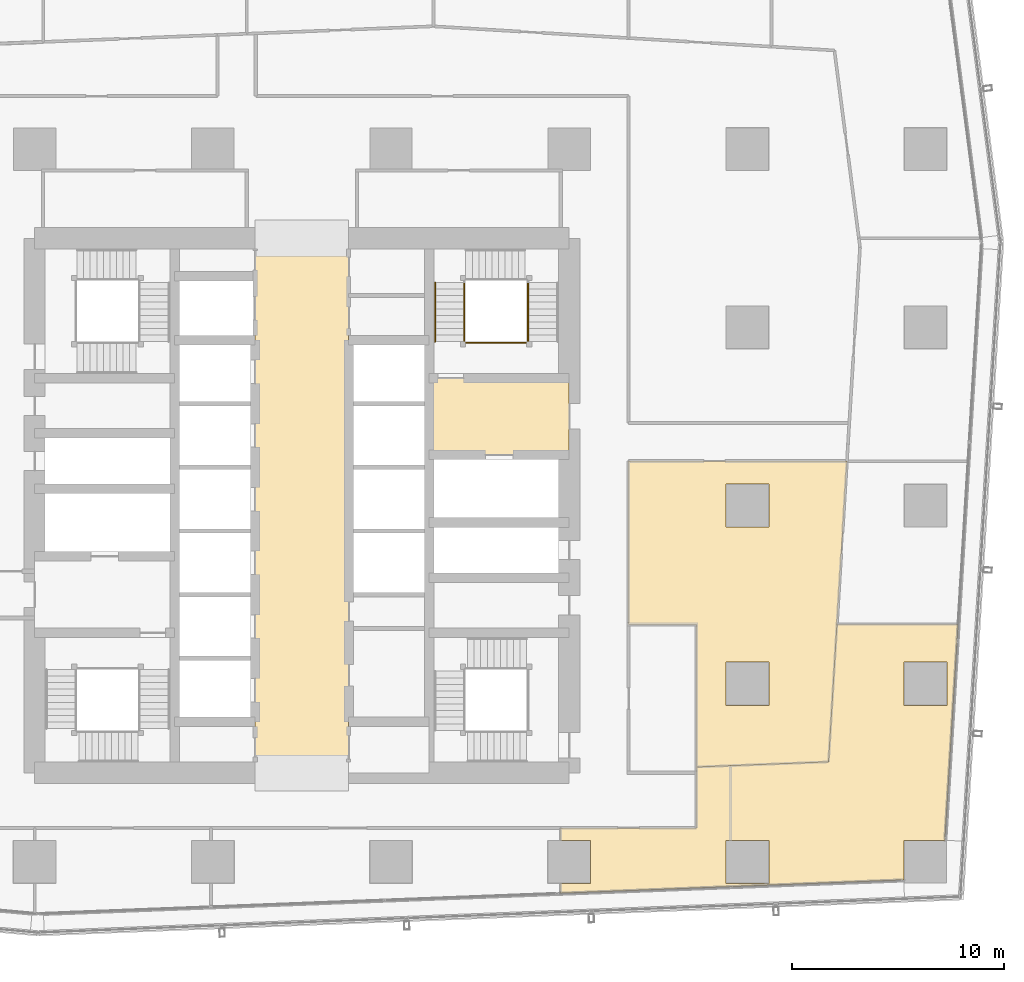
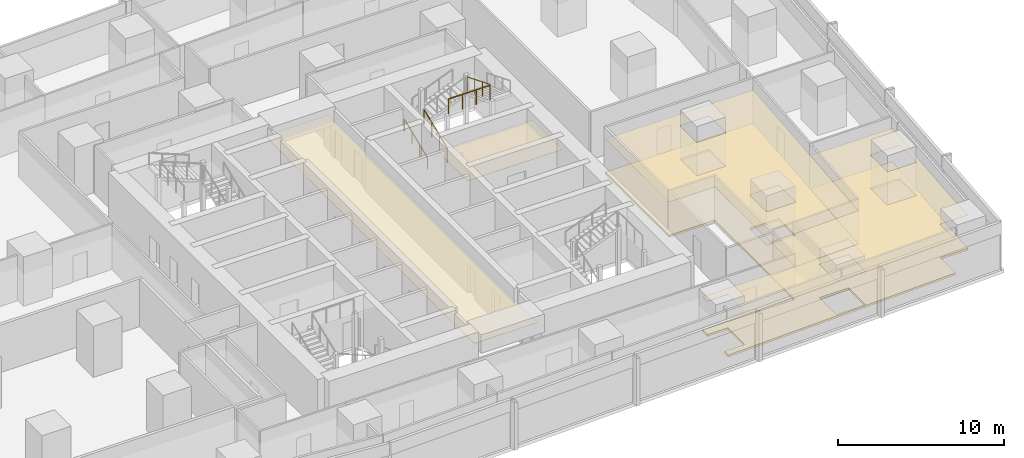
# One storey, part 34 of 36: 6 coverings, 4 railings.
"""IFC4 building model written with IfcOpenShell, lengths in metres."""

from ifc_helpers import new_model, si_unit, direction, frame, origin, origin_2d, place, context, subcontext, project, spatial, polyline, circle, outline, extrude, material, layer, layer_set, type_object, element, save


model = new_model("IFC4")

# Units and contexts
model_context = context("Model", 3, precision=1e-05, world=origin(), true_north=direction((0.0, 1.0)))
body_context = subcontext(model_context, "Body", "Model", "MODEL_VIEW")
ifc_project = project(units=[si_unit("LENGTHUNIT", "METRE"), si_unit("AREAUNIT", "SQUARE_METRE"), si_unit("VOLUMEUNIT", "CUBIC_METRE"), si_unit("PLANEANGLEUNIT", "RADIAN"), si_unit("MASSUNIT", "GRAM", prefix="KILO")], contexts=[model_context])

# Site, building, storey
site_placement = place(None, origin())
site = spatial("IfcSite", under=ifc_project, at=site_placement, CompositionType="ELEMENT")
building_placement = place(site_placement, origin())
building = spatial("IfcBuilding", under=site, at=building_placement, Name="Rekha Terrace Tower", CompositionType="ELEMENT")
storey_placement = place(building_placement, frame((0.0, 0.0, 144.050048828125)))
storey = spatial("IfcBuildingStorey", under=building, at=storey_placement, Name="L36", CompositionType="ELEMENT", Elevation=144.050048828125)

# Coverings
ifc_material_1 = material(Name="Mineral fibre tile in exposed grid", Category="finish")
ifc_layer_1 = layer(ifc_material_1, 0.02001953125)
ifc_layer_set_1 = layer_set([ifc_layer_1], Name="Mineral fibre tile in exposed grid")
covering_type_1 = type_object("IfcCoveringType", Name="CL1 600x1200 office grid ceiling", PredefinedType="CEILING", material=ifc_layer_set_1)
covering_1_placement = place(storey_placement, frame((0.0, 0.0, 2.579833984375)))
element("IfcCovering", 1, at=covering_1_placement, inside=storey, type_object=covering_type_1, Name="Ceiling L36-02", PredefinedType="CEILING", context=body_context, shape_type="SweptSolid", body=[
    extrude(outline(polyline([(51.4150390625, 15.784912109375), (49.9990234375, 15.784912109375), (49.9990234375, 15.321044921875), (58.010986328125, 15.633056640625), (66.18505859375, 15.950927734375), (66.18505859375, 17.81494140625), (68.111083984375, 17.81494140625), (68.735107421875, 27.9970703125), (63.02392578125, 27.9970703125), (62.626953125, 21.51708984375), (58.011962890625, 21.337890625), (56.39990234375, 21.27490234375), (56.39990234375, 18.39990234375), (49.9990234375, 18.39990234375), (49.9990234375, 17.81494140625), (51.4150390625, 17.81494140625), (51.4150390625, 15.784912109375)]), holes=[polyline([(68.215087890625, 24.18505859375), (66.18505859375, 24.18505859375), (66.18505859375, 26.215087890625), (68.215087890625, 26.215087890625), (68.215087890625, 24.18505859375)]), polyline([(59.81494140625, 15.784912109375), (57.784912109375, 15.784912109375), (57.784912109375, 17.81494140625), (59.81494140625, 17.81494140625), (59.81494140625, 15.784912109375)])]), origin(), (0.0, 0.0, 1.0), 0.02001953125),
])
covering_2_placement = place(storey_placement, frame((0.0, 0.0, 2.579833984375)))
element("IfcCovering", 2, at=covering_2_placement, inside=storey, type_object=covering_type_1, Name="Ceiling L36-O1b", PredefinedType="CEILING", context=body_context, shape_type="SweptSolid", body=[
    extrude(outline(polyline([(56.39990234375, 21.27490234375), (58.010986328125, 21.3369140625), (58.010986328125, 21.337890625), (62.626953125, 21.51708984375), (63.02392578125, 27.998046875), (63.4951171875, 35.68994140625), (53.199951171875, 35.68994140625), (53.199951171875, 28.0), (56.39990234375, 28.0), (56.39990234375, 21.27490234375)]), holes=[polyline([(59.81494140625, 26.215087890625), (59.81494140625, 24.18505859375), (57.784912109375, 24.18505859375), (57.784912109375, 26.215087890625), (59.81494140625, 26.215087890625)]), polyline([(59.81494140625, 32.5849609375), (57.784912109375, 32.5849609375), (57.784912109375, 34.614990234375), (59.81494140625, 34.614990234375), (59.81494140625, 32.5849609375)])]), origin(), (0.0, 0.0, 1.0), 0.02001953125),
])
ifc_material_2 = material(Name="Powder-coated aluminium pan", Category="aluminium")
ifc_layer_2 = layer(ifc_material_2, 0.030029296875)
ifc_layer_set_2 = layer_set([ifc_layer_2], Name="Powder-coated aluminium pan")
covering_type_2 = type_object("IfcCoveringType", Name="CL3 300x1200 metal pan ceiling", PredefinedType="CEILING", material=ifc_layer_set_2)
covering_3_placement = place(storey_placement, frame((0.0, 0.0, 2.570068359375)))
element("IfcCovering", 3, at=covering_3_placement, inside=storey, type_object=covering_type_2, Name="Ceiling L36-LOBBY", PredefinedType="CEILING", context=body_context, shape_type="SweptSolid", body=[
    extrude(outline(polyline([(40.0, 46.199951171875), (35.60009765625, 46.199951171875), (35.60009765625, 21.0), (40.0, 21.0), (40.0, 46.199951171875)])), origin(), (0.0, 0.0, 1.0), 0.02978515625),
])
covering_4_placement = place(storey_placement, frame((0.0, 0.0, 2.570068359375)))
element("IfcCovering", 4, at=covering_4_placement, inside=storey, type_object=covering_type_2, Name="Ceiling L36-FLB2", PredefinedType="CEILING", context=body_context, shape_type="SweptSolid", body=[
    extrude(outline(polyline([(50.39990234375, 39.60009765625), (43.800048828125, 39.60009765625), (43.800048828125, 36.0), (50.39990234375, 36.0), (50.39990234375, 39.60009765625)])), origin(), (0.0, 0.0, 1.0), 0.02978515625),
])

# Railings
ifc_material_3 = material(Name="Stainless steel balustrade", Category="steel")
railing_type_1 = type_object("IfcRailingType", Name="GR1 1100 stair guard", PredefinedType="GUARDRAIL", material=ifc_material_3)
railing_1_placement = place(storey_placement, frame((45.465087890625, 41.324951171875, 0.125)))
element("IfcRailing", 5, at=railing_1_placement, inside=storey, type_object=railing_type_1, Name="Guard ST2 L36 flight 1", PredefinedType="GUARDRAIL", context=body_context, shape_type="SweptSolid", body=[
    extrude(circle(Radius=0.02392578125, at=origin_2d()), frame((0.0, 0.0, 1.076171875), z_axis=(0.0, 0.927443287984, 0.373963831907), x_axis=(-1.0, 0.0, 0.0)), (0.0, 0.0, 1.0), 3.00830078125),
    extrude(circle(Radius=0.02099609375, at=origin_2d()), origin(), (0.0, 0.0, 1.0), 1.052001953125),
    extrude(circle(Radius=0.02099609375, at=origin_2d()), frame((0.0, 0.929931640625, 0.375)), (0.0, 0.0, 1.0), 1.052001953125),
    extrude(circle(Radius=0.02099609375, at=origin_2d()), frame((0.0, 1.860107421875, 0.75)), (0.0, 0.0, 1.0), 1.052001953125),
    extrude(circle(Radius=0.02099609375, at=origin_2d()), frame((0.0, 2.7900390625, 1.125)), (0.0, 0.0, 1.0), 1.052001953125),
])
railing_2_placement = place(storey_placement, frame((48.4599609375, 44.114990234375, 2.625)))
element("IfcRailing", 6, at=railing_2_placement, inside=storey, type_object=railing_type_1, Name="Guard ST2 L36 flight 3", PredefinedType="GUARDRAIL", context=body_context, shape_type="SweptSolid", body=[
    extrude(circle(Radius=0.02392578125, at=origin_2d()), frame((0.0, 0.0, 1.076171875), z_axis=(0.0, -0.927443287984, 0.373963831907), x_axis=(1.0, 0.0, 0.0)), (0.0, 0.0, 1.0), 3.00830078125),
    extrude(circle(Radius=0.02099609375, at=origin_2d()), origin(), (0.0, 0.0, 1.0), 1.052001953125),
    extrude(circle(Radius=0.02099609375, at=origin_2d()), frame((0.0, -0.929931640625, 0.375)), (0.0, 0.0, 1.0), 1.052001953125),
    extrude(circle(Radius=0.02099609375, at=origin_2d()), frame((0.0, -1.860107421875, 0.75)), (0.0, 0.0, 1.0), 1.052001953125),
    extrude(circle(Radius=0.02099609375, at=origin_2d()), frame((0.0, -2.7900390625, 1.125)), (0.0, 0.0, 1.0), 1.052001953125),
])
railing_3_placement = place(storey_placement, frame((45.52490234375, 41.264892578125, 3.75)))
element("IfcRailing", 7, at=railing_3_placement, inside=storey, type_object=railing_type_1, Name="Guard ST2 L36 landing 4", PredefinedType="GUARDRAIL", context=body_context, shape_type="SweptSolid", body=[
    extrude(circle(Radius=0.02392578125, at=origin_2d()), frame((0.0, 0.0, 1.076171875), z_axis=(1.0, 0.0, 0.0), x_axis=(0.0, 1.0, 0.0)), (0.0, 0.0, 1.0), 2.875),
    extrude(circle(Radius=0.02099609375, at=origin_2d()), origin(), (0.0, 0.0, 1.0), 1.052001953125),
    extrude(circle(Radius=0.02099609375, at=origin_2d()), frame((0.958251953125, 0.0, 0.0)), (0.0, 0.0, 1.0), 1.052001953125),
    extrude(circle(Radius=0.02099609375, at=origin_2d()), frame((1.916748046875, 0.0, 0.0)), (0.0, 0.0, 1.0), 1.052001953125),
    extrude(circle(Radius=0.02099609375, at=origin_2d()), frame((2.875, 0.0, 0.0)), (0.0, 0.0, 1.0), 1.052001953125),
])
ifc_material_4 = material(Name="Stainless steel tube", Category="steel")
railing_type_2 = type_object("IfcRailingType", Name="HR1 900 stair handrail", PredefinedType="HANDRAIL", material=ifc_material_4)
railing_4_placement = place(storey_placement, frame((44.0849609375, 41.324951171875, 0.125)))
element("IfcRailing", 8, at=railing_4_placement, inside=storey, type_object=railing_type_2, Name="Handrail ST2 L36 flight 1", PredefinedType="HANDRAIL", context=body_context, shape_type="SweptSolid", body=[
    extrude(circle(Radius=0.02392578125, at=origin_2d()), frame((0.0, 0.0, 0.8759765625), z_axis=(0.0, 0.927443287984, 0.373963831907), x_axis=(-1.0, 0.0, 0.0)), (0.0, 0.0, 1.0), 3.00830078125),
    extrude(circle(Radius=0.02099609375, at=origin_2d()), origin(), (0.0, 0.0, 1.0), 0.851806640625),
    extrude(circle(Radius=0.02099609375, at=origin_2d()), frame((0.0, 0.929931640625, 0.375)), (0.0, 0.0, 1.0), 0.851806640625),
    extrude(circle(Radius=0.02099609375, at=origin_2d()), frame((0.0, 1.860107421875, 0.75)), (0.0, 0.0, 1.0), 0.851806640625),
    extrude(circle(Radius=0.02099609375, at=origin_2d()), frame((0.0, 2.7900390625, 1.125)), (0.0, 0.0, 1.0), 0.851806640625),
])

# Coverings
ifc_material_5 = material(Name="Calcium sulphate panels on steel pedestals", Category="steel")
ifc_layer_3 = layer(ifc_material_5, 0.14990234375)
ifc_layer_set_3 = layer_set([ifc_layer_3], Name="Calcium sulphate panels on steel pedestals")
covering_type_3 = type_object("IfcCoveringType", Name="RF1 150 raised access floor", PredefinedType="FLOORING", material=ifc_layer_set_3)
covering_5_placement = place(storey_placement, origin())
element("IfcCovering", 9, at=covering_5_placement, inside=storey, type_object=covering_type_3, Name="Raised floor L36-02", PredefinedType="FLOORING", context=body_context, shape_type="SweptSolid", body=[
    extrude(outline(polyline([(51.4150390625, 15.784912109375), (49.9990234375, 15.784912109375), (49.9990234375, 15.321044921875), (58.010986328125, 15.633056640625), (66.18505859375, 15.950927734375), (66.18505859375, 17.81494140625), (68.111083984375, 17.81494140625), (68.735107421875, 27.9970703125), (63.02392578125, 27.9970703125), (62.626953125, 21.51708984375), (58.011962890625, 21.337890625), (56.39990234375, 21.27490234375), (56.39990234375, 18.39990234375), (49.9990234375, 18.39990234375), (49.9990234375, 17.81494140625), (51.4150390625, 17.81494140625), (51.4150390625, 15.784912109375)]), holes=[polyline([(68.215087890625, 24.18505859375), (66.18505859375, 24.18505859375), (66.18505859375, 26.215087890625), (68.215087890625, 26.215087890625), (68.215087890625, 24.18505859375)]), polyline([(59.81494140625, 15.784912109375), (57.784912109375, 15.784912109375), (57.784912109375, 17.81494140625), (59.81494140625, 17.81494140625), (59.81494140625, 15.784912109375)])]), origin(), (0.0, 0.0, 1.0), 0.14990234375),
])
covering_6_placement = place(storey_placement, origin())
element("IfcCovering", 10, at=covering_6_placement, inside=storey, type_object=covering_type_3, Name="Raised floor L36-O1b", PredefinedType="FLOORING", context=body_context, shape_type="SweptSolid", body=[
    extrude(outline(polyline([(56.39990234375, 21.27490234375), (58.010986328125, 21.3369140625), (58.010986328125, 21.337890625), (62.626953125, 21.51708984375), (63.02392578125, 27.998046875), (63.4951171875, 35.68994140625), (53.199951171875, 35.68994140625), (53.199951171875, 28.0), (56.39990234375, 28.0), (56.39990234375, 21.27490234375)]), holes=[polyline([(59.81494140625, 26.215087890625), (59.81494140625, 24.18505859375), (57.784912109375, 24.18505859375), (57.784912109375, 26.215087890625), (59.81494140625, 26.215087890625)]), polyline([(59.81494140625, 32.5849609375), (57.784912109375, 32.5849609375), (57.784912109375, 34.614990234375), (59.81494140625, 34.614990234375), (59.81494140625, 32.5849609375)])]), origin(), (0.0, 0.0, 1.0), 0.14990234375),
])

save(model, "model.ifc")
